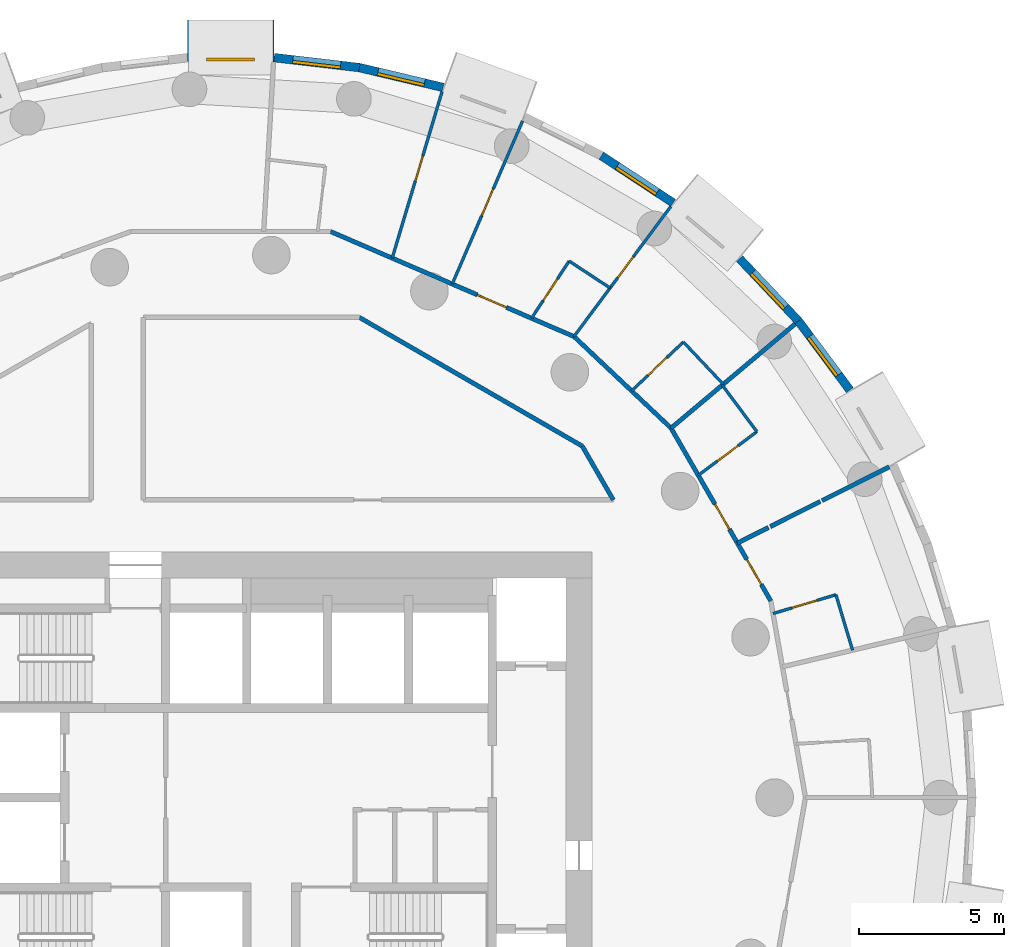
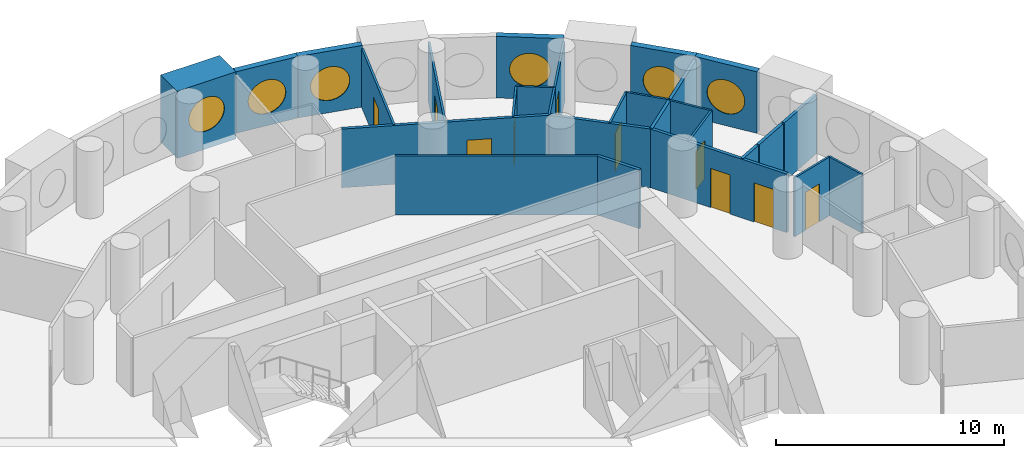
# One storey, part 7 of 10: 28 walls, 10 doors, 6 windows, 16 openings.
"""IFC4 building model written with IfcOpenShell, lengths in metres."""

import ifcopenshell
import ifcopenshell.guid

model = None  # the IFC model being written
_history = None  # IfcOwnerHistory: only IFC2X3 demands one
_inside = {}  # id of a spatial element -> (the spatial element, [elements in it])
_under = {}  # id of a project, library or spatial element -> (it, [spatial elements below it])
_declared = {}  # id of a project -> (the project, [libraries it declares])
_typed = {}  # id of a type object -> (the type object, [elements of that type])
_made_of = {}  # id of a material, layer set ... -> (it, [elements and type objects made of it])


def new_model(schema):
    """Start an empty IFC model of exactly this schema.

    Asked for "IFC4X3", IfcOpenShell would pick the latest addendum, in which some entities
    have other attributes; the version numbers below select the first issue.
    IFC2X3 requires an IfcOwnerHistory on every rooted entity: one is made here for all.
    """
    global model, _history
    if schema == "IFC4X3":
        model = ifcopenshell.file(schema_version=(4, 3, 0, 0))
    else:
        model = ifcopenshell.file(schema=schema)
    _inside.clear()
    _under.clear()
    _declared.clear()
    _typed.clear()
    _made_of.clear()
    _history = None
    if model.schema == "IFC2X3":
        org = make("IfcOrganization", Name="unknown")
        user = make(
            "IfcPersonAndOrganization",
            ThePerson=make("IfcPerson", FamilyName="unknown"),
            TheOrganization=org,
        )
        app = make(
            "IfcApplication",
            ApplicationDeveloper=org,
            Version="unknown",
            ApplicationFullName="unknown",
            ApplicationIdentifier="unknown",
        )
        _history = make(
            "IfcOwnerHistory",
            OwningUser=user,
            OwningApplication=app,
            ChangeAction="ADDED",
            CreationDate=0,
        )
    return model


def make(cls, **values):
    """One entity of the class cls with the attributes given. An attribute that is None is left unset."""
    return model.create_entity(
        cls, **{name: value for name, value in values.items() if value is not None}
    )


def rooted(cls, **values):
    """An entity with a GlobalId (a new one), such as an element, a storey or a relation."""
    return make(cls, GlobalId=ifcopenshell.guid.new(), OwnerHistory=_history, **values)


def si_unit(unit_type, name, prefix=None):
    """IfcSIUnit, for example si_unit("LENGTHUNIT", "METRE", prefix="MILLI")."""
    return make("IfcSIUnit", UnitType=unit_type, Prefix=prefix, Name=name)


def assignment(units):
    """IfcUnitAssignment: the units of a project."""
    return None if units is None else make("IfcUnitAssignment", Units=units)


def point(xyz):
    """IfcCartesianPoint."""
    return None if xyz is None else make("IfcCartesianPoint", Coordinates=xyz)


def direction(xyz):
    """IfcDirection."""
    return None if xyz is None else make("IfcDirection", DirectionRatios=xyz)


def frame(location, z_axis=None, x_axis=None):
    """IfcAxis2Placement3D, a coordinate frame: its origin and axes. An axis left out is left unset."""
    return make(
        "IfcAxis2Placement3D",
        Location=point(location),
        Axis=direction(z_axis),
        RefDirection=direction(x_axis),
    )


def frame_2d(location, x_axis=None):
    """IfcAxis2Placement2D, a coordinate frame in the plane: its origin and x axis."""
    return make(
        "IfcAxis2Placement2D", Location=point(location), RefDirection=direction(x_axis)
    )


def origin():
    """The frame at (0, 0, 0) with its axes left unset."""
    return frame((0.0, 0.0, 0.0))


def origin_2d():
    """The frame at (0, 0) in the plane with its x axis left unset."""
    return frame_2d((0.0, 0.0))


def place(relative_to, where):
    """IfcLocalPlacement: puts the frame where relative to a parent placement (None: the world)."""
    return make(
        "IfcLocalPlacement", PlacementRelTo=relative_to, RelativePlacement=where
    )


def context(
    kind, dimensions, precision=None, world=None, true_north=None, identifier=None
):
    """IfcGeometricRepresentationContext, for example the 3D "Model" context."""
    return make(
        "IfcGeometricRepresentationContext",
        ContextIdentifier=identifier,
        ContextType=kind,
        CoordinateSpaceDimension=dimensions,
        Precision=precision,
        WorldCoordinateSystem=world,
        TrueNorth=true_north,
    )


def subcontext(parent, identifier, kind, view, scale=None):
    """IfcGeometricRepresentationSubContext, for example "Body" below "Model"."""
    return make(
        "IfcGeometricRepresentationSubContext",
        ContextIdentifier=identifier,
        ContextType=kind,
        ParentContext=parent,
        TargetScale=scale,
        TargetView=view,
    )


def project(units=None, contexts=None):
    """IfcProject with its units and contexts."""
    return rooted(
        "IfcProject",
        Name="project",
        RepresentationContexts=contexts,
        UnitsInContext=assignment(units),
    )


def spatial(cls, under=None, at=None, **own):
    """A site, building, storey or space (cls), placed at a placement, below another one or the project."""
    s = rooted(cls, ObjectPlacement=at, **own)
    if under is not None:
        _under.setdefault(under.id(), (under, []))[1].append(s)
    return s


def profile(cls, at=None, kind="AREA", **sizes):
    """A parametric profile (cls). Its sizes go by their IFC names, for example OverallWidth=200.0."""
    return make(cls, ProfileType=kind, Position=at, **sizes)


def rectangle(**sizes):
    """IfcRectangleProfileDef."""
    return profile("IfcRectangleProfileDef", **sizes)


def circle(**sizes):
    """IfcCircleProfileDef."""
    return profile("IfcCircleProfileDef", **sizes)


def extrude(swept, where, along, depth):
    """IfcExtrudedAreaSolid: the profile swept, set in the frame where, extruded along a direction by depth."""
    return make(
        "IfcExtrudedAreaSolid",
        SweptArea=swept,
        Position=where,
        ExtrudedDirection=direction(along),
        Depth=depth,
    )


def shape(context_of_items, identifier, shape_type, items):
    """IfcShapeRepresentation: the items that make up one representation, for example the "Body"."""
    return make(
        "IfcShapeRepresentation",
        ContextOfItems=context_of_items,
        RepresentationIdentifier=identifier,
        RepresentationType=shape_type,
        Items=items,
    )


def material(Name=None, Category=None):
    """IfcMaterial."""
    return make("IfcMaterial", Name=Name, Category=Category)


def layer(
    of_material, thickness, ventilated=None, Name=None, Category=None, Priority=None
):
    """IfcMaterialLayer: one layer of a wall or slab, of a material (None: an air gap)."""
    return make(
        "IfcMaterialLayer",
        Material=of_material,
        LayerThickness=thickness,
        IsVentilated=ventilated,
        Name=Name,
        Category=Category,
        Priority=Priority,
    )


def layer_set(layers, Name=None):
    """IfcMaterialLayerSet."""
    return make("IfcMaterialLayerSet", MaterialLayers=layers, LayerSetName=Name)


def made_of(thing, what):
    """Note that an element or type object is made of a material, layer set ...; save() writes the relation."""
    if what is not None:
        _made_of.setdefault(what.id(), (what, []))[1].append(thing)
    return thing


def type_object(cls, material=None, **own):
    """A type object (cls), such as IfcWallType, which elements share."""
    return made_of(rooted(cls, **own), material)


def element(
    cls,
    number,
    at=None,
    inside=None,
    cuts=None,
    type_object=None,
    material=None,
    context=None,
    identifier="Body",
    shape_type=None,
    held_by="IfcProductDefinitionShape",
    body=None,
    shapes=None,
    **own,
):
    """One element of the class cls, such as IfcWall. Its Tag is "e" and its number.

    at: its placement. inside: the storey or other place that contains it. cuts: it is an
    opening in that element (IfcRelVoidsElement). A single representation is given by context,
    identifier, shape_type and body (its items); several are given by shapes. held_by: the class
    of the entity that holds the representations. save() writes the other relations.
    """
    e = rooted(cls, Tag="e%d" % number, ObjectPlacement=at, **own)
    if body is not None:
        shapes = [shape(context, identifier, shape_type, body)]
    if shapes is not None:
        e.Representation = make(held_by, Representations=shapes)
    if inside is not None:
        _inside.setdefault(inside.id(), (inside, []))[1].append(e)
    if cuts is not None:
        rooted(
            "IfcRelVoidsElement", RelatingBuildingElement=cuts, RelatedOpeningElement=e
        )
    if type_object is not None:
        _typed.setdefault(type_object.id(), (type_object, []))[1].append(e)
    return made_of(e, material)


def fill(opening, filler):
    """IfcRelFillsElement: the door or window that sits in an opening."""
    return rooted(
        "IfcRelFillsElement",
        RelatingOpeningElement=opening,
        RelatedBuildingElement=filler,
    )


def aggregate(whole, parts):
    """IfcRelAggregates: a whole, such as a stair, and the parts it consists of."""
    return rooted("IfcRelAggregates", RelatingObject=whole, RelatedObjects=parts)


def save(model, path):
    """Write the relations noted so far, then the file.

    IfcRelAggregates (storeys below a building ...), IfcRelContainedInSpatialStructure (elements
    in a storey), IfcRelDefinesByType, IfcRelAssociatesMaterial and IfcRelDeclares: one each for
    every whole, place, type object, material and project.
    """
    for whole, parts in _under.values():
        aggregate(whole, parts)
    for where, things in _inside.values():
        rooted(
            "IfcRelContainedInSpatialStructure",
            RelatedElements=things,
            RelatingStructure=where,
        )
    for kind, things in _typed.values():
        rooted("IfcRelDefinesByType", RelatedObjects=things, RelatingType=kind)
    for what, things in _made_of.values():
        rooted("IfcRelAssociatesMaterial", RelatedObjects=things, RelatingMaterial=what)
    for by, libraries in _declared.values():
        rooted("IfcRelDeclares", RelatingContext=by, RelatedDefinitions=libraries)
    model.write(path)


model = new_model("IFC4")

# Units and contexts
model_context = context("Model", 3, precision=1e-05, world=origin(), true_north=direction((0.0, 1.0)))
body_context = subcontext(model_context, "Body", "Model", "MODEL_VIEW")
ifc_project = project(units=[si_unit("LENGTHUNIT", "METRE"), si_unit("AREAUNIT", "SQUARE_METRE"), si_unit("VOLUMEUNIT", "CUBIC_METRE"), si_unit("PLANEANGLEUNIT", "RADIAN"), si_unit("MASSUNIT", "GRAM", prefix="KILO")], contexts=[model_context])

# Site, building, storey
site_placement = place(None, origin())
site = spatial("IfcSite", under=ifc_project, at=site_placement, CompositionType="ELEMENT")
building_placement = place(site_placement, origin())
building = spatial("IfcBuilding", under=site, at=building_placement, Name="Tracery Tower", CompositionType="ELEMENT")
storey_placement = place(building_placement, frame((0.0, 0.0, 212.39990234375)))
storey = spatial("IfcBuildingStorey", under=building, at=storey_placement, Name="L55", CompositionType="ELEMENT", Elevation=212.39990234375)

# Wall, opening, window
ifc_material_1 = material(Name="Precast concrete C50/60", Category="concrete")
ifc_layer_1 = layer(ifc_material_1, 1.449951171875)
ifc_layer_set_1 = layer_set([ifc_layer_1], Name="Deep-set bay unit 3000 x 3600, slab edge 300")
wall_type_1 = type_object("IfcWallType", Name="Deep-set bay unit 3000 x 3600, slab edge 300", PredefinedType="ELEMENTEDWALL", material=ifc_layer_set_1)
wall_1_placement = place(storey_placement, frame((1.5, 26.178955078125, -0.2998046875), z_axis=(0.0, 0.0, 1.0), x_axis=(-1.0, 0.0, 0.0)))
wall_1 = element("IfcWall", 1, at=wall_1_placement, inside=storey, type_object=wall_type_1, Name="Deep-set bay unit 14 at L55", PredefinedType="ELEMENTEDWALL", context=body_context, shape_type="SweptSolid", body=[
    extrude(rectangle(XDim=3.0, YDim=1.449951171875, at=frame_2d((1.5, 0.0))), origin(), (0.0, 0.0, 1.0), 3.599853515625),
])
opening_1_placement = place(wall_1_placement, frame((1.5, 0.0, 1.85009765625)))
opening_1 = element("IfcOpeningElement", 2, at=opening_1_placement, cuts=wall_1, Name="Opening WN1", PredefinedType="OPENING", context=body_context, shape_type="SweptSolid", body=[
    extrude(circle(Radius=0.9000244140625, at=origin_2d()), frame((0.0, 0.73486328125, 0.0), z_axis=(0.0, -1.0, 0.0), x_axis=(1.0, 0.0, 0.0)), (0.0, 0.0, 1.0), 1.469970703125),
])
ifc_material_2 = material(Name="Aluminium frame with tinted double glazing", Category="aluminium")
window_type = type_object("IfcWindowType", Name="Round window 1800", PartitioningType="SINGLE_PANEL", PredefinedType="WINDOW", material=ifc_material_2)
window_1_placement = place(opening_1_placement, origin())
window_1 = element("IfcWindow", 3, at=window_1_placement, inside=storey, type_object=window_type, Name="Round window 14 at L55", OverallHeight=1.800048828125, OverallWidth=1.800048828125, PartitioningType="SINGLE_PANEL", PredefinedType="WINDOW", context=body_context, shape_type="SweptSolid", body=[
    extrude(circle(Radius=0.9000244140625, at=origin_2d()), frame((0.0, 0.69482421875, 0.0), z_axis=(0.0, -1.0, 0.0), x_axis=(1.0, 0.0, 0.0)), (0.0, 0.0, 1.0), 0.10009765625),
])
fill(opening_1, window_1)

ifc_material_3 = material(Name="Precast concrete C50/60", Category="concrete")
ifc_layer_2 = layer(ifc_material_3, 0.300048828125)
ifc_layer_set_2 = layer_set([ifc_layer_2], Name="Facade panel 3000 x 3300")
wall_type_2 = type_object("IfcWallType", Name="Facade panel 3000 x 3300", PredefinedType="SOLIDWALL", material=ifc_layer_set_2)
wall_2_placement = place(storey_placement, frame((21.42236328125, 14.101318359375, 0.0), z_axis=(0.0, 0.0, 1.0), x_axis=(-0.597197580538, 0.80209416517, 0.0)))
wall_2 = element("IfcWall", 4, at=wall_2_placement, inside=storey, type_object=wall_type_2, Name="Facade panel 6 at L55", PredefinedType="SOLIDWALL", context=body_context, shape_type="SweptSolid", body=[
    extrude(rectangle(XDim=2.972900390625, YDim=0.300048828125, at=frame_2d((1.486328125, 0.0))), origin(), (0.0, 0.0, 1.0), 3.300048828125),
])
opening_2_placement = place(wall_2_placement, frame((1.486328125, 0.0, 1.5498046875)))
opening_2 = element("IfcOpeningElement", 5, at=opening_2_placement, cuts=wall_2, Name="Opening WN1", PredefinedType="OPENING", context=body_context, shape_type="SweptSolid", body=[
    extrude(circle(Radius=0.9000244140625, at=origin_2d()), frame((0.0, 0.159912109375, 0.0), z_axis=(0.0, -1.0, 0.0), x_axis=(1.0, 0.0, 0.0)), (0.0, 0.0, 1.0), 0.320068359375),
])
window_2_placement = place(opening_2_placement, origin())
window_2 = element("IfcWindow", 6, at=window_2_placement, inside=storey, type_object=window_type, Name="Round window 6 at L55", OverallHeight=1.800048828125, OverallWidth=1.800048828125, PartitioningType="SINGLE_PANEL", PredefinedType="WINDOW", context=body_context, shape_type="SweptSolid", body=[
    extrude(circle(Radius=0.9000244140625, at=origin_2d()), frame((0.0, 0.1201171875, 0.0), z_axis=(0.0, -1.0, 0.0), x_axis=(1.0, 0.0, 0.0)), (0.0, 0.0, 1.0), 0.10009765625),
])
fill(opening_2, window_2)

wall_3_placement = place(storey_placement, frame((19.64697265625, 16.48583984375, 0.0), z_axis=(0.0, 0.0, 1.0), x_axis=(-0.686235184166, 0.727379730273, 0.0)))
wall_3 = element("IfcWall", 7, at=wall_3_placement, inside=storey, type_object=wall_type_2, Name="Facade panel 7 at L55", PredefinedType="SOLIDWALL", context=body_context, shape_type="SweptSolid", body=[
    extrude(rectangle(XDim=2.972900390625, YDim=0.300048828125, at=frame_2d((1.486328125, 0.0))), origin(), (0.0, 0.0, 1.0), 3.300048828125),
])
opening_3_placement = place(wall_3_placement, frame((1.486328125, 0.0, 1.5498046875)))
opening_3 = element("IfcOpeningElement", 8, at=opening_3_placement, cuts=wall_3, Name="Opening WN1", PredefinedType="OPENING", context=body_context, shape_type="SweptSolid", body=[
    extrude(circle(Radius=0.9000244140625, at=origin_2d()), frame((0.0, 0.159912109375, 0.0), z_axis=(0.0, -1.0, 0.0), x_axis=(1.0, 0.0, 0.0)), (0.0, 0.0, 1.0), 0.320068359375),
])
window_3_placement = place(opening_3_placement, origin())
window_3 = element("IfcWindow", 9, at=window_3_placement, inside=storey, type_object=window_type, Name="Round window 7 at L55", OverallHeight=1.800048828125, OverallWidth=1.800048828125, PartitioningType="SINGLE_PANEL", PredefinedType="WINDOW", context=body_context, shape_type="SweptSolid", body=[
    extrude(circle(Radius=0.9000244140625, at=origin_2d()), frame((0.0, 0.1201171875, 0.0), z_axis=(0.0, -1.0, 0.0), x_axis=(1.0, 0.0, 0.0)), (0.0, 0.0, 1.0), 0.10009765625),
])
fill(opening_3, window_3)

wall_4_placement = place(storey_placement, frame((15.3076171875, 20.57763671875, 0.0), z_axis=(0.0, 0.0, 1.0), x_axis=(-0.835470659512, 0.549535055382, 0.0)))
wall_4 = element("IfcWall", 10, at=wall_4_placement, inside=storey, type_object=wall_type_2, Name="Facade panel 9 at L55", PredefinedType="SOLIDWALL", context=body_context, shape_type="SweptSolid", body=[
    extrude(rectangle(XDim=2.97314453125, YDim=0.300048828125, at=frame_2d((1.486572265625, 0.0))), origin(), (0.0, 0.0, 1.0), 3.300048828125),
])
opening_4_placement = place(wall_4_placement, frame((1.486328125, 0.0, 1.5498046875)))
opening_4 = element("IfcOpeningElement", 11, at=opening_4_placement, cuts=wall_4, Name="Opening WN1", PredefinedType="OPENING", context=body_context, shape_type="SweptSolid", body=[
    extrude(circle(Radius=0.9000244140625, at=origin_2d()), frame((0.0, 0.159912109375, 0.0), z_axis=(0.0, -1.0, 0.0), x_axis=(1.0, 0.0, 0.0)), (0.0, 0.0, 1.0), 0.320068359375),
])
window_4_placement = place(opening_4_placement, origin())
window_4 = element("IfcWindow", 12, at=window_4_placement, inside=storey, type_object=window_type, Name="Round window 9 at L55", OverallHeight=1.800048828125, OverallWidth=1.800048828125, PartitioningType="SINGLE_PANEL", PredefinedType="WINDOW", context=body_context, shape_type="SweptSolid", body=[
    extrude(circle(Radius=0.9000244140625, at=origin_2d()), frame((0.0, 0.1201171875, 0.0), z_axis=(0.0, -1.0, 0.0), x_axis=(1.0, 0.0, 0.0)), (0.0, 0.0, 1.0), 0.10009765625),
])
fill(opening_4, window_4)

wall_5_placement = place(storey_placement, frame((7.346435546875, 24.572265625, 0.0), z_axis=(0.0, 0.0, 1.0), x_axis=(-0.973049746156, 0.230595298102, 0.0)))
wall_5 = element("IfcWall", 13, at=wall_5_placement, inside=storey, type_object=wall_type_2, Name="Facade panel 12 at L55", PredefinedType="SOLIDWALL", context=body_context, shape_type="SweptSolid", body=[
    extrude(rectangle(XDim=2.972900390625, YDim=0.300048828125, at=frame_2d((1.486328125, 0.0))), origin(), (0.0, 0.0, 1.0), 3.300048828125),
])
opening_5_placement = place(wall_5_placement, frame((1.486328125, 0.0, 1.5498046875)))
opening_5 = element("IfcOpeningElement", 14, at=opening_5_placement, cuts=wall_5, Name="Opening WN1", PredefinedType="OPENING", context=body_context, shape_type="SweptSolid", body=[
    extrude(circle(Radius=0.9000244140625, at=origin_2d()), frame((0.0, 0.159912109375, 0.0), z_axis=(0.0, -1.0, 0.0), x_axis=(1.0, 0.0, 0.0)), (0.0, 0.0, 1.0), 0.320068359375),
])
window_5_placement = place(opening_5_placement, origin())
window_5 = element("IfcWindow", 15, at=window_5_placement, inside=storey, type_object=window_type, Name="Round window 12 at L55", OverallHeight=1.800048828125, OverallWidth=1.800048828125, PartitioningType="SINGLE_PANEL", PredefinedType="WINDOW", context=body_context, shape_type="SweptSolid", body=[
    extrude(circle(Radius=0.9000244140625, at=origin_2d()), frame((0.0, 0.1201171875, 0.0), z_axis=(0.0, -1.0, 0.0), x_axis=(1.0, 0.0, 0.0)), (0.0, 0.0, 1.0), 0.10009765625),
])
fill(opening_5, window_5)

wall_6_placement = place(storey_placement, frame((4.45361328125, 25.2578125, 0.0), z_axis=(0.0, 0.0, 1.0), x_axis=(-0.993235542767, 0.116116995244, 0.0)))
wall_6 = element("IfcWall", 16, at=wall_6_placement, inside=storey, type_object=wall_type_2, Name="Facade panel 13 at L55", PredefinedType="SOLIDWALL", context=body_context, shape_type="SweptSolid", body=[
    extrude(rectangle(XDim=2.972900390625, YDim=0.300048828125, at=frame_2d((1.486328125, 0.0))), origin(), (0.0, 0.0, 1.0), 3.300048828125),
])
opening_6_placement = place(wall_6_placement, frame((1.486328125, 0.0, 1.5498046875)))
opening_6 = element("IfcOpeningElement", 17, at=opening_6_placement, cuts=wall_6, Name="Opening WN1", PredefinedType="OPENING", context=body_context, shape_type="SweptSolid", body=[
    extrude(circle(Radius=0.9000244140625, at=origin_2d()), frame((0.0, 0.159912109375, 0.0), z_axis=(0.0, -1.0, 0.0), x_axis=(1.0, 0.0, 0.0)), (0.0, 0.0, 1.0), 0.320068359375),
])
window_6_placement = place(opening_6_placement, origin())
window_6 = element("IfcWindow", 18, at=window_6_placement, inside=storey, type_object=window_type, Name="Round window 13 at L55", OverallHeight=1.800048828125, OverallWidth=1.800048828125, PartitioningType="SINGLE_PANEL", PredefinedType="WINDOW", context=body_context, shape_type="SweptSolid", body=[
    extrude(circle(Radius=0.9000244140625, at=origin_2d()), frame((0.0, 0.1201171875, 0.0), z_axis=(0.0, -1.0, 0.0), x_axis=(1.0, 0.0, 0.0)), (0.0, 0.0, 1.0), 0.10009765625),
])
fill(opening_6, window_6)

# Wall, opening, door
ifc_material_4 = material(Name="Plasterboard on steel studs", Category="steel")
ifc_layer_3 = layer(ifc_material_4, 0.10009765625)
ifc_layer_set_3 = layer_set([ifc_layer_3], Name="Partition 100 stud")
wall_type_3 = type_object("IfcWallType", Name="Partition 100 stud", PredefinedType="PARTITIONING", material=ifc_layer_set_3)
wall_7_placement = place(storey_placement, frame((7.6650390625, 17.76904296875, 0.0), z_axis=(0.0, 0.0, 1.0), x_axis=(0.396066155507, 0.918221977771, 0.0)))
wall_7 = element("IfcWall", 19, at=wall_7_placement, inside=storey, type_object=wall_type_3, Name="Stud partition RB9-052", PredefinedType="PARTITIONING", context=body_context, shape_type="SweptSolid", body=[
    extrude(rectangle(XDim=6.145751953125, YDim=0.10009765625, at=frame_2d((3.07275390625, 0.0))), origin(), (0.0, 0.0, 1.0), 3.150146484375),
])
opening_7_placement = place(wall_7_placement, frame((2.572998046875, 0.0, 0.0)))
opening_7 = element("IfcOpeningElement", 20, at=opening_7_placement, cuts=wall_7, Name="Opening RB9-12", PredefinedType="OPENING", context=body_context, shape_type="SweptSolid", body=[
    extrude(rectangle(XDim=1.0, YDim=2.0400390625, at=frame_2d((0.5, 1.02001953125))), frame((0.0, 0.050048828125, 0.0), z_axis=(0.0, -1.0, 0.0), x_axis=(1.0, 0.0, 0.0)), (0.0, 0.0, 1.0), 0.10009765625),
])
ifc_material_5 = material(Name="Timber door leaf", Category="wood")
door_type_1 = type_object("IfcDoorType", Name="Door communal room 1000", OperationType="NOTDEFINED", PredefinedType="DOOR", material=ifc_material_5)
door_1_placement = place(opening_7_placement, origin())
door_1 = element("IfcDoor", 21, at=door_1_placement, inside=storey, type_object=door_type_1, Name="Communal room door RB9-12", OperationType="SINGLE_SWING_RIGHT", OverallHeight=2.0400390625, OverallWidth=1.0, PredefinedType="DOOR", context=body_context, shape_type="SweptSolid", body=[
    extrude(rectangle(XDim=1.0, YDim=2.0400390625, at=frame_2d((0.5, 1.02001953125))), frame((0.0, 0.02490234375, 0.0), z_axis=(0.0, -1.0, 0.0), x_axis=(1.0, 0.0, 0.0)), (0.0, 0.0, 1.0), 0.050048828125),
])
fill(opening_7, door_1)

wall_8_placement = place(storey_placement, frame((13.1259765625, 17.632080078125, 0.0), z_axis=(0.0, 0.0, 1.0), x_axis=(0.597307961824, 0.802011969201, 0.0)))
wall_8 = element("IfcWall", 22, at=wall_8_placement, inside=storey, type_object=wall_type_3, Name="Stud partition RB9-055", PredefinedType="PARTITIONING", context=body_context, shape_type="SweptSolid", body=[
    extrude(rectangle(XDim=3.515869140625, YDim=0.10009765625, at=frame_2d((1.7578125, 0.0))), origin(), (0.0, 0.0, 1.0), 3.150146484375),
])
opening_8_placement = place(wall_8_placement, frame((0.447021484375, 0.0, 0.0)))
opening_8 = element("IfcOpeningElement", 23, at=opening_8_placement, cuts=wall_8, Name="Opening RB9-14", PredefinedType="OPENING", context=body_context, shape_type="SweptSolid", body=[
    extrude(rectangle(XDim=0.89990234375, YDim=2.10009765625, at=frame_2d((0.449951171875, 1.050048828125))), frame((0.0, 0.050048828125, 0.0), z_axis=(0.0, -1.0, 0.0), x_axis=(1.0, 0.0, 0.0)), (0.0, 0.0, 1.0), 0.10009765625),
])
ifc_material_6 = material(Name="Timber door leaf", Category="wood")
door_type_2 = type_object("IfcDoorType", Name="Door bedroom 900", OperationType="NOTDEFINED", PredefinedType="DOOR", material=ifc_material_6)
door_2_placement = place(opening_8_placement, origin())
door_2 = element("IfcDoor", 24, at=door_2_placement, inside=storey, type_object=door_type_2, Name="Bedroom door RB9-14", OperationType="SINGLE_SWING_RIGHT", OverallHeight=2.10009765625, OverallWidth=0.89990234375, PredefinedType="DOOR", context=body_context, shape_type="SweptSolid", body=[
    extrude(rectangle(XDim=0.89990234375, YDim=2.10009765625, at=frame_2d((0.449951171875, 1.050048828125))), frame((0.0, 0.02490234375, 0.0), z_axis=(0.0, -1.0, 0.0), x_axis=(1.0, 0.0, 0.0)), (0.0, 0.0, 1.0), 0.050048828125),
])
fill(opening_8, door_2)

wall_9_placement = place(storey_placement, frame((5.587890625, 18.6650390625, 0.0), z_axis=(0.0, 0.0, 1.0), x_axis=(0.286859936776, 0.957972534404, 0.0)))
wall_9 = element("IfcWall", 25, at=wall_9_placement, inside=storey, type_object=wall_type_3, Name="Stud partition RB9-056", PredefinedType="PARTITIONING", context=body_context, shape_type="SweptSolid", body=[
    extrude(rectangle(XDim=6.013671875, YDim=0.10009765625, at=frame_2d((3.0068359375, 0.0))), origin(), (0.0, 0.0, 1.0), 3.150146484375),
])
opening_9_placement = place(wall_9_placement, frame((2.79296875, 0.0, 0.0)))
opening_9 = element("IfcOpeningElement", 26, at=opening_9_placement, cuts=wall_9, Name="Opening RB9-16", PredefinedType="OPENING", context=body_context, shape_type="SweptSolid", body=[
    extrude(rectangle(XDim=0.89990234375, YDim=2.10009765625, at=frame_2d((0.449951171875, 1.050048828125))), frame((0.0, 0.050048828125, 0.0), z_axis=(0.0, -1.0, 0.0), x_axis=(1.0, 0.0, 0.0)), (0.0, 0.0, 1.0), 0.10009765625),
])
door_3_placement = place(opening_9_placement, origin())
door_3 = element("IfcDoor", 27, at=door_3_placement, inside=storey, type_object=door_type_2, Name="Bedroom door RB9-16", OperationType="SINGLE_SWING_RIGHT", OverallHeight=2.10009765625, OverallWidth=0.89990234375, PredefinedType="DOOR", context=body_context, shape_type="SweptSolid", body=[
    extrude(rectangle(XDim=0.89990234375, YDim=2.10009765625, at=frame_2d((0.449951171875, 1.050048828125))), frame((0.0, 0.02490234375, 0.0), z_axis=(0.0, -1.0, 0.0), x_axis=(1.0, 0.0, 0.0)), (0.0, 0.0, 1.0), 0.050048828125),
])
fill(opening_9, door_3)

# Wall
ifc_material_7 = material(Name="Plasterboard on steel studs", Category="steel")
ifc_layer_4 = layer(ifc_material_7, 0.10009765625)
ifc_layer_set_4 = layer_set([ifc_layer_4], Name="Partition 100 wet wall")
wall_type_4 = type_object("IfcWallType", Name="Partition 100 wet wall", PredefinedType="PARTITIONING", material=ifc_layer_set_4)
wall_10_placement = place(storey_placement, frame((20.94091796875, 7.01806640625, 0.0), z_axis=(0.0, 0.0, 1.0), x_axis=(0.287124264191, -0.957893343182, 0.0)))
element("IfcWall", 28, at=wall_10_placement, inside=storey, type_object=wall_type_4, Name="Wet wall RB9-043", PredefinedType="PARTITIONING", context=body_context, shape_type="SweptSolid", body=[
    extrude(rectangle(XDim=2.00341796875, YDim=0.10009765625, at=frame_2d((1.001708984375, 0.0))), origin(), (0.0, 0.0, 1.0), 3.150146484375),
])

# Wall, opening, door
wall_11_placement = place(storey_placement, frame((18.764892578125, 6.366943359375, 0.0), z_axis=(0.0, 0.0, 1.0), x_axis=(0.958030169919, 0.286667391807, 0.0)))
wall_11 = element("IfcWall", 29, at=wall_11_placement, inside=storey, type_object=wall_type_4, Name="Wet wall RB9-044", PredefinedType="PARTITIONING", context=body_context, shape_type="SweptSolid", body=[
    extrude(rectangle(XDim=2.271240234375, YDim=0.10009765625, at=frame_2d((1.1357421875, 0.0))), origin(), (0.0, 0.0, 1.0), 3.150146484375),
])
opening_10_placement = place(wall_11_placement, frame((0.685302734375, 0.0, 0.0)))
opening_10 = element("IfcOpeningElement", 30, at=opening_10_placement, cuts=wall_11, Name="Opening RB9-07", PredefinedType="OPENING", context=body_context, shape_type="SweptSolid", body=[
    extrude(rectangle(XDim=0.89990234375, YDim=2.0400390625, at=frame_2d((0.449951171875, 1.02001953125))), frame((0.0, 0.050048828125, 0.0), z_axis=(0.0, -1.0, 0.0), x_axis=(1.0, 0.0, 0.0)), (0.0, 0.0, 1.0), 0.10009765625),
])
ifc_material_8 = material(Name="Timber door leaf", Category="wood")
door_type_3 = type_object("IfcDoorType", Name="Door en-suite 900", OperationType="NOTDEFINED", PredefinedType="DOOR", material=ifc_material_8)
door_4_placement = place(opening_10_placement, origin())
door_4 = element("IfcDoor", 31, at=door_4_placement, inside=storey, type_object=door_type_3, Name="En-suite door RB9-07", OperationType="SINGLE_SWING_RIGHT", OverallHeight=2.0400390625, OverallWidth=0.89990234375, PredefinedType="DOOR", context=body_context, shape_type="SweptSolid", body=[
    extrude(rectangle(XDim=0.89990234375, YDim=2.0400390625, at=frame_2d((0.449951171875, 1.02001953125))), frame((0.0, 0.02490234375, 0.0), z_axis=(0.0, -1.0, 0.0), x_axis=(1.0, 0.0, 0.0)), (0.0, 0.0, 1.0), 0.050048828125),
])
fill(opening_10, door_4)

wall_12_placement = place(storey_placement, frame((16.177978515625, 11.14990234375, 0.0), z_axis=(0.0, 0.0, 1.0), x_axis=(0.8020923136, 0.597200067367, 0.0)))
wall_12 = element("IfcWall", 32, at=wall_12_placement, inside=storey, type_object=wall_type_4, Name="Wet wall RB9-048", PredefinedType="PARTITIONING", context=body_context, shape_type="SweptSolid", body=[
    extrude(rectangle(XDim=2.528564453125, YDim=0.10009765625, at=frame_2d((1.26416015625, 0.0))), origin(), (0.0, 0.0, 1.0), 3.150146484375),
])
opening_11_placement = place(wall_12_placement, frame((0.81396484375, 0.0, 0.0)))
opening_11 = element("IfcOpeningElement", 33, at=opening_11_placement, cuts=wall_12, Name="Opening RB9-09", PredefinedType="OPENING", context=body_context, shape_type="SweptSolid", body=[
    extrude(rectangle(XDim=0.89990234375, YDim=2.0400390625, at=frame_2d((0.449951171875, 1.02001953125))), frame((0.0, 0.050048828125, 0.0), z_axis=(0.0, -1.0, 0.0), x_axis=(1.0, 0.0, 0.0)), (0.0, 0.0, 1.0), 0.10009765625),
])
door_5_placement = place(opening_11_placement, origin())
door_5 = element("IfcDoor", 34, at=door_5_placement, inside=storey, type_object=door_type_3, Name="En-suite door RB9-09", OperationType="SINGLE_SWING_LEFT", OverallHeight=2.0400390625, OverallWidth=0.89990234375, PredefinedType="DOOR", context=body_context, shape_type="SweptSolid", body=[
    extrude(rectangle(XDim=0.89990234375, YDim=2.0400390625, at=frame_2d((0.449951171875, 1.02001953125))), frame((0.0, 0.02490234375, 0.0), z_axis=(0.0, -1.0, 0.0), x_axis=(1.0, 0.0, 0.0)), (0.0, 0.0, 1.0), 0.050048828125),
])
fill(opening_11, door_5)

# Walls
wall_13_placement = place(storey_placement, frame((17.007080078125, 14.27099609375, 0.0), z_axis=(0.0, 0.0, 1.0), x_axis=(0.597019866774, -0.802226450996, 0.0)))
element("IfcWall", 35, at=wall_13_placement, inside=storey, type_object=wall_type_4, Name="Wet wall RB9-049", PredefinedType="PARTITIONING", context=body_context, shape_type="SweptSolid", body=[
    extrude(rectangle(XDim=2.00830078125, YDim=0.10009765625, at=frame_2d((1.004150390625, 0.0))), origin(), (0.0, 0.0, 1.0), 3.150146484375),
])
wall_14_placement = place(storey_placement, frame((11.7099609375, 18.56298828125, 0.0), z_axis=(0.0, 0.0, 1.0), x_axis=(0.835601560763, -0.549335991584, 0.0)))
element("IfcWall", 36, at=wall_14_placement, inside=storey, type_object=wall_type_4, Name="Wet wall RB9-053", PredefinedType="PARTITIONING", context=body_context, shape_type="SweptSolid", body=[
    extrude(rectangle(XDim=1.694580078125, YDim=0.10009765625, at=frame_2d((0.84716796875, 0.0))), origin(), (0.0, 0.0, 1.0), 3.150146484375),
])

# Wall, opening, door
wall_15_placement = place(storey_placement, frame((10.408935546875, 16.5849609375, 0.0), z_axis=(0.0, 0.0, 1.0), x_axis=(0.549525589293, 0.835476885804, 0.0)))
wall_15 = element("IfcWall", 37, at=wall_15_placement, inside=storey, type_object=wall_type_4, Name="Wet wall RB9-054", PredefinedType="PARTITIONING", context=body_context, shape_type="SweptSolid", body=[
    extrude(rectangle(XDim=2.367431640625, YDim=0.10009765625, at=frame_2d((1.18359375, 0.0))), origin(), (0.0, 0.0, 1.0), 3.150146484375),
])
opening_12_placement = place(wall_15_placement, frame((0.7333984375, 0.0, 0.0)))
opening_12 = element("IfcOpeningElement", 38, at=opening_12_placement, cuts=wall_15, Name="Opening RB9-13", PredefinedType="OPENING", context=body_context, shape_type="SweptSolid", body=[
    extrude(rectangle(XDim=0.89990234375, YDim=2.0, at=frame_2d((0.449951171875, 1.0))), frame((0.0, 0.050048828125, 0.0), z_axis=(0.0, -1.0, 0.0), x_axis=(1.0, 0.0, 0.0)), (0.0, 0.0, 1.0), 0.10009765625),
])
ifc_material_9 = material(Name="Timber door leaf", Category="wood")
door_type_4 = type_object("IfcDoorType", Name="Door shower room 900", OperationType="NOTDEFINED", PredefinedType="DOOR", material=ifc_material_9)
door_6_placement = place(opening_12_placement, origin())
door_6 = element("IfcDoor", 39, at=door_6_placement, inside=storey, type_object=door_type_4, Name="Shower room door RB9-13", OperationType="SINGLE_SWING_RIGHT", OverallHeight=2.0, OverallWidth=0.89990234375, PredefinedType="DOOR", context=body_context, shape_type="SweptSolid", body=[
    extrude(rectangle(XDim=0.89990234375, YDim=2.0, at=frame_2d((0.449951171875, 1.0))), frame((0.0, 0.02490234375, 0.0), z_axis=(0.0, -1.0, 0.0), x_axis=(1.0, 0.0, 0.0)), (0.0, 0.0, 1.0), 0.050048828125),
])
fill(opening_12, door_6)

# Walls
wall_16_placement = place(storey_placement, frame((11.8759765625, 15.951904296875, 0.0), z_axis=(0.0, 0.0, 1.0), x_axis=(0.596899091673, 0.802316318144, 0.0)))
element("IfcWall", 40, at=wall_16_placement, inside=storey, type_object=wall_type_4, Name="Wet wall RB9-057", PredefinedType="PARTITIONING", context=body_context, shape_type="SweptSolid", body=[
    extrude(rectangle(XDim=2.09423828125, YDim=0.10009765625, at=frame_2d((1.047119140625, 0.0))), origin(), (0.0, 0.0, 1.0), 3.150146484375),
])
wall_17_placement = place(storey_placement, frame((15.662109375, 15.762939453125, 0.0), z_axis=(0.0, 0.0, 1.0), x_axis=(0.686167098493, -0.727443958629, 0.0)))
element("IfcWall", 41, at=wall_17_placement, inside=storey, type_object=wall_type_4, Name="Wet wall RB9-058", PredefinedType="PARTITIONING", context=body_context, shape_type="SweptSolid", body=[
    extrude(rectangle(XDim=2.010986328125, YDim=0.10009765625, at=frame_2d((1.00537109375, 0.0))), origin(), (0.0, 0.0, 1.0), 3.150146484375),
])

# Wall, opening, door
wall_18_placement = place(storey_placement, frame((13.8701171875, 14.072021484375, 0.0), z_axis=(0.0, 0.0, 1.0), x_axis=(0.727320856717, 0.686297582237, 0.0)))
wall_18 = element("IfcWall", 42, at=wall_18_placement, inside=storey, type_object=wall_type_4, Name="Wet wall RB9-059", PredefinedType="PARTITIONING", context=body_context, shape_type="SweptSolid", body=[
    extrude(rectangle(XDim=2.4638671875, YDim=0.10009765625, at=frame_2d((1.23193359375, 0.0))), origin(), (0.0, 0.0, 1.0), 3.150146484375),
])
opening_13_placement = place(wall_18_placement, frame((0.781982421875, 0.0, 0.0)))
opening_13 = element("IfcOpeningElement", 43, at=opening_13_placement, cuts=wall_18, Name="Opening RB9-15", PredefinedType="OPENING", context=body_context, shape_type="SweptSolid", body=[
    extrude(rectangle(XDim=0.89990234375, YDim=2.0400390625, at=frame_2d((0.449951171875, 1.02001953125))), frame((0.0, 0.050048828125, 0.0), z_axis=(0.0, -1.0, 0.0), x_axis=(1.0, 0.0, 0.0)), (0.0, 0.0, 1.0), 0.10009765625),
])
door_7_placement = place(opening_13_placement, origin())
door_7 = element("IfcDoor", 44, at=door_7_placement, inside=storey, type_object=door_type_3, Name="En-suite door RB9-15", OperationType="SINGLE_SWING_RIGHT", OverallHeight=2.0400390625, OverallWidth=0.89990234375, PredefinedType="DOOR", context=body_context, shape_type="SweptSolid", body=[
    extrude(rectangle(XDim=0.89990234375, YDim=2.0400390625, at=frame_2d((0.449951171875, 1.02001953125))), frame((0.0, 0.02490234375, 0.0), z_axis=(0.0, -1.0, 0.0), x_axis=(1.0, 0.0, 0.0)), (0.0, 0.0, 1.0), 0.050048828125),
])
fill(opening_13, door_7)

# Walls
ifc_material_10 = material(Name="Plasterboard on steel studs", Category="steel")
ifc_layer_5 = layer(ifc_material_10, 0.14990234375)
ifc_layer_set_5 = layer_set([ifc_layer_5], Name="Partition 150 acoustic unit wall")
wall_type_5 = type_object("IfcWallType", Name="Partition 150 acoustic unit wall", PredefinedType="PARTITIONING", material=ifc_layer_set_5)
wall_19_placement = place(storey_placement, frame((17.531982421875, 8.804931640625, 0.0), z_axis=(0.0, 0.0, 1.0), x_axis=(0.893574741649, 0.448914447403, 0.0)))
element("IfcWall", 45, at=wall_19_placement, inside=storey, type_object=wall_type_5, Name="Unit wall RB9-045", PredefinedType="PARTITIONING", context=body_context, shape_type="SweptSolid", body=[
    extrude(rectangle(XDim=1.205078125, YDim=0.14990234375, at=frame_2d((0.6025390625, 0.0))), origin(), (0.0, 0.0, 1.0), 3.150146484375),
])
wall_20_placement = place(storey_placement, frame((20.4599609375, 10.27490234375, 0.0), z_axis=(0.0, 0.0, 1.0), x_axis=(0.893543449143, 0.448976730458, 0.0)))
element("IfcWall", 46, at=wall_20_placement, inside=storey, type_object=wall_type_5, Name="Unit wall RB9-046", PredefinedType="PARTITIONING", context=body_context, shape_type="SweptSolid", body=[
    extrude(rectangle(XDim=2.60205078125, YDim=0.14990234375, at=frame_2d((1.301025390625, 0.0))), origin(), (0.0, 0.0, 1.0), 3.150146484375),
])
wall_21_placement = place(storey_placement, frame((18.669921875, 9.3759765625, 0.0), z_axis=(0.0, 0.0, 1.0), x_axis=(0.893466318026, 0.449130202227, 0.0)))
element("IfcWall", 47, at=wall_21_placement, inside=storey, type_object=wall_type_5, Name="Unit wall RB9-047", PredefinedType="PARTITIONING", context=body_context, shape_type="SweptSolid", body=[
    extrude(rectangle(XDim=1.93505859375, YDim=0.14990234375, at=frame_2d((0.967529296875, 0.0))), origin(), (0.0, 0.0, 1.0), 3.150146484375),
])
wall_22_placement = place(storey_placement, frame((17.0390625, 14.297119140625, 0.0), z_axis=(0.0, 0.0, 1.0), x_axis=(0.766046154737, 0.642785569854, 0.0)))
element("IfcWall", 48, at=wall_22_placement, inside=storey, type_object=wall_type_5, Name="Unit wall RB9-050", PredefinedType="PARTITIONING", context=body_context, shape_type="SweptSolid", body=[
    extrude(rectangle(XDim=3.254150390625, YDim=0.14990234375, at=frame_2d((1.626953125, 0.0))), origin(), (0.0, 0.0, 1.0), 3.150146484375),
])
wall_23_placement = place(storey_placement, frame((15.235107421875, 12.783935546875, 0.0), z_axis=(0.0, 0.0, 1.0), x_axis=(0.766002094084, 0.642838075925, 0.0)))
element("IfcWall", 49, at=wall_23_placement, inside=storey, type_object=wall_type_5, Name="Unit wall RB9-051", PredefinedType="PARTITIONING", context=body_context, shape_type="SweptSolid", body=[
    extrude(rectangle(XDim=2.313232421875, YDim=0.14990234375, at=frame_2d((1.15673828125, 0.0))), origin(), (0.0, 0.0, 1.0), 3.150146484375),
])
ifc_material_11 = material(Name="Plasterboard on steel studs", Category="steel")
ifc_layer_6 = layer(ifc_material_11, 0.14990234375)
ifc_layer_set_6 = layer_set([ifc_layer_6], Name="Partition 150 corridor wall")
wall_type_6 = type_object("IfcWallType", Name="Partition 150 corridor wall", PredefinedType="PARTITIONING", material=ifc_layer_set_6)
wall_24_placement = place(storey_placement, frame((12.162109375, 12.162109375, 0.0), z_axis=(0.0, 0.0, 1.0), x_axis=(0.499961633463, -0.866047553582, 0.0)))
element("IfcWall", 50, at=wall_24_placement, inside=storey, type_object=wall_type_6, Name="Corridor wall RB9-005", PredefinedType="PARTITIONING", context=body_context, shape_type="SweptSolid", body=[
    extrude(rectangle(XDim=2.150146484375, YDim=0.14990234375, at=frame_2d((1.0751953125, 0.0))), origin(), (0.0, 0.0, 1.0), 3.150146484375),
])

# Wall, openings, doors
wall_25_placement = place(storey_placement, frame((15.23486328125, 12.783935546875, 0.0), z_axis=(0.0, 0.0, 1.0), x_axis=(0.499940714931, -0.86605962933, 0.0)))
wall_25 = element("IfcWall", 51, at=wall_25_placement, inside=storey, type_object=wall_type_6, Name="Corridor wall RB9-008", PredefinedType="PARTITIONING", context=body_context, shape_type="SweptSolid", body=[
    extrude(rectangle(XDim=6.906982421875, YDim=0.14990234375, at=frame_2d((3.45361328125, 0.0))), origin(), (0.0, 0.0, 1.0), 3.150146484375),
])
opening_14_placement = place(wall_25_placement, frame((5.248779296875, 0.0, 0.0)))
opening_14 = element("IfcOpeningElement", 52, at=opening_14_placement, cuts=wall_25, Name="Opening RB9-08", PredefinedType="OPENING", context=body_context, shape_type="SweptSolid", body=[
    extrude(rectangle(XDim=1.0, YDim=2.10009765625, at=frame_2d((0.5, 1.050048828125))), frame((0.0, 0.074951171875, 0.0), z_axis=(0.0, -1.0, 0.0), x_axis=(1.0, 0.0, 0.0)), (0.0, 0.0, 1.0), 0.14990234375),
])
opening_15_placement = place(wall_25_placement, frame((3.041015625, 0.0, 0.0)))
opening_15 = element("IfcOpeningElement", 53, at=opening_15_placement, cuts=wall_25, Name="Opening RB9-10", PredefinedType="OPENING", context=body_context, shape_type="SweptSolid", body=[
    extrude(rectangle(XDim=1.0, YDim=2.10009765625, at=frame_2d((0.5, 1.050048828125))), frame((0.0, 0.074951171875, 0.0), z_axis=(0.0, -1.0, 0.0), x_axis=(1.0, 0.0, 0.0)), (0.0, 0.0, 1.0), 0.14990234375),
])
ifc_material_12 = material(Name="Timber door leaf", Category="wood")
door_type_5 = type_object("IfcDoorType", Name="Door unit entrance 1000", OperationType="NOTDEFINED", PredefinedType="DOOR", material=ifc_material_12)
door_8_placement = place(opening_14_placement, origin())
door_8 = element("IfcDoor", 54, at=door_8_placement, inside=storey, type_object=door_type_5, Name="Unit entrance door RB9-08", OperationType="SINGLE_SWING_LEFT", OverallHeight=2.10009765625, OverallWidth=1.0, PredefinedType="DOOR", context=body_context, shape_type="SweptSolid", body=[
    extrude(rectangle(XDim=1.0, YDim=2.10009765625, at=frame_2d((0.5, 1.050048828125))), frame((0.0, 0.02490234375, 0.0), z_axis=(0.0, -1.0, 0.0), x_axis=(1.0, 0.0, 0.0)), (0.0, 0.0, 1.0), 0.050048828125),
])
fill(opening_14, door_8)
door_9_placement = place(opening_15_placement, origin())
door_9 = element("IfcDoor", 55, at=door_9_placement, inside=storey, type_object=door_type_5, Name="Unit entrance door RB9-10", OperationType="SINGLE_SWING_RIGHT", OverallHeight=2.10009765625, OverallWidth=1.0, PredefinedType="DOOR", context=body_context, shape_type="SweptSolid", body=[
    extrude(rectangle(XDim=1.0, YDim=2.10009765625, at=frame_2d((0.5, 1.050048828125))), frame((0.0, 0.02490234375, 0.0), z_axis=(0.0, -1.0, 0.0), x_axis=(1.0, 0.0, 0.0)), (0.0, 0.0, 1.0), 0.050048828125),
])
fill(opening_15, door_9)

# Walls
wall_26_placement = place(storey_placement, frame((11.876953125, 15.952880859375, 0.0), z_axis=(0.0, 0.0, 1.0), x_axis=(0.727299029876, -0.686320713035, 0.0)))
element("IfcWall", 56, at=wall_26_placement, inside=storey, type_object=wall_type_6, Name="Corridor wall RB9-009", PredefinedType="PARTITIONING", context=body_context, shape_type="SweptSolid", body=[
    extrude(rectangle(XDim=4.6171875, YDim=0.14990234375, at=frame_2d((2.30859375, 0.0))), origin(), (0.0, 0.0, 1.0), 3.150146484375),
])
wall_27_placement = place(storey_placement, frame((4.451904296875, 16.614013671875, 0.0), z_axis=(0.0, 0.0, 1.0), x_axis=(0.866005203721, -0.500034985904, 0.0)))
element("IfcWall", 57, at=wall_27_placement, inside=storey, type_object=wall_type_6, Name="Corridor wall RB9-015", PredefinedType="PARTITIONING", context=body_context, shape_type="SweptSolid", body=[
    extrude(rectangle(XDim=8.903076171875, YDim=0.14990234375, at=frame_2d((4.45166015625, 0.0))), origin(), (0.0, 0.0, 1.0), 3.150146484375),
])

# Wall, opening, door
wall_28_placement = place(storey_placement, frame((3.452880859375, 19.585693359375, 0.0), z_axis=(0.0, 0.0, 1.0), x_axis=(0.918175908205, -0.396172944044, 0.0)))
wall_28 = element("IfcWall", 58, at=wall_28_placement, inside=storey, type_object=wall_type_6, Name="Corridor wall RB9-018", PredefinedType="PARTITIONING", context=body_context, shape_type="SweptSolid", body=[
    extrude(rectangle(XDim=9.17333984375, YDim=0.14990234375, at=frame_2d((4.586669921875, 0.0))), origin(), (0.0, 0.0, 1.0), 3.150146484375),
])
opening_16_placement = place(wall_28_placement, frame((5.531005859375, 0.0, 0.0)))
opening_16 = element("IfcOpeningElement", 59, at=opening_16_placement, cuts=wall_28, Name="Opening RB9-11", PredefinedType="OPENING", context=body_context, shape_type="SweptSolid", body=[
    extrude(rectangle(XDim=1.10009765625, YDim=2.10009765625, at=frame_2d((0.550048828125, 1.050048828125))), frame((0.0, 0.074951171875, 0.0), z_axis=(0.0, -1.0, 0.0), x_axis=(1.0, 0.0, 0.0)), (0.0, 0.0, 1.0), 0.14990234375),
])
ifc_material_13 = material(Name="Timber door leaf", Category="wood")
door_type_6 = type_object("IfcDoorType", Name="Door cluster entrance 1100", OperationType="NOTDEFINED", PredefinedType="DOOR", material=ifc_material_13)
door_10_placement = place(opening_16_placement, origin())
door_10 = element("IfcDoor", 60, at=door_10_placement, inside=storey, type_object=door_type_6, Name="Cluster entrance door RB9-11", OperationType="SINGLE_SWING_LEFT", OverallHeight=2.10009765625, OverallWidth=1.10009765625, PredefinedType="DOOR", context=body_context, shape_type="SweptSolid", body=[
    extrude(rectangle(XDim=1.10009765625, YDim=2.10009765625, at=frame_2d((0.550048828125, 1.050048828125))), frame((0.0, 0.02490234375, 0.0), z_axis=(0.0, -1.0, 0.0), x_axis=(1.0, 0.0, 0.0)), (0.0, 0.0, 1.0), 0.050048828125),
])
fill(opening_16, door_10)

save(model, "model.ifc")
